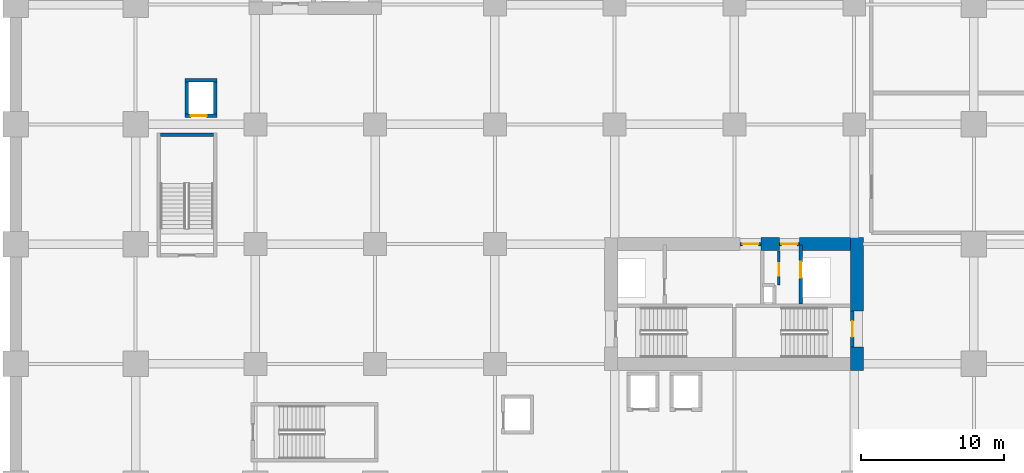
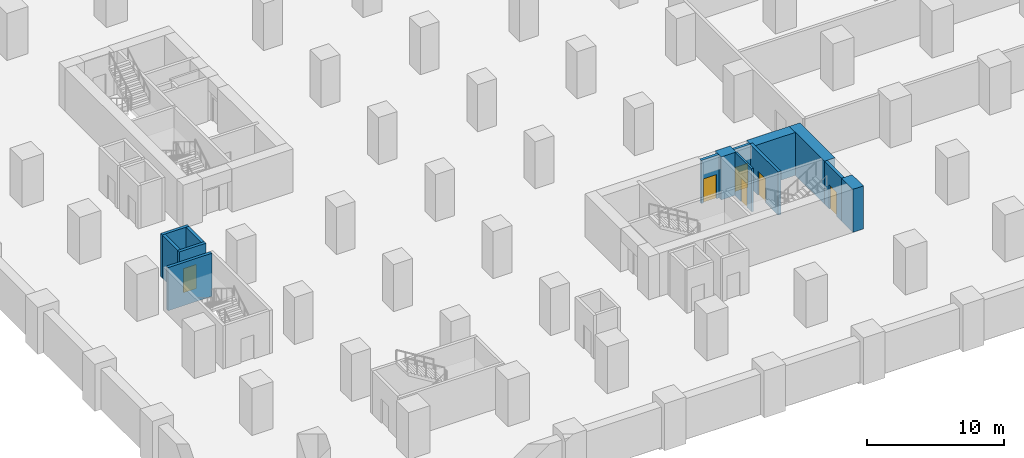
# One storey, part 7 of 13: 14 walls, 6 doors, 6 openings.
"""IFC4 building model written with IfcOpenShell, lengths in metres."""

import ifcopenshell
import ifcopenshell.guid

model = None  # the IFC model being written
_history = None  # IfcOwnerHistory: only IFC2X3 demands one
_inside = {}  # id of a spatial element -> (the spatial element, [elements in it])
_under = {}  # id of a project, library or spatial element -> (it, [spatial elements below it])
_declared = {}  # id of a project -> (the project, [libraries it declares])
_typed = {}  # id of a type object -> (the type object, [elements of that type])
_made_of = {}  # id of a material, layer set ... -> (it, [elements and type objects made of it])


def new_model(schema):
    """Start an empty IFC model of exactly this schema.

    Asked for "IFC4X3", IfcOpenShell would pick the latest addendum, in which some entities
    have other attributes; the version numbers below select the first issue.
    IFC2X3 requires an IfcOwnerHistory on every rooted entity: one is made here for all.
    """
    global model, _history
    if schema == "IFC4X3":
        model = ifcopenshell.file(schema_version=(4, 3, 0, 0))
    else:
        model = ifcopenshell.file(schema=schema)
    _inside.clear()
    _under.clear()
    _declared.clear()
    _typed.clear()
    _made_of.clear()
    _history = None
    if model.schema == "IFC2X3":
        org = make("IfcOrganization", Name="unknown")
        user = make(
            "IfcPersonAndOrganization",
            ThePerson=make("IfcPerson", FamilyName="unknown"),
            TheOrganization=org,
        )
        app = make(
            "IfcApplication",
            ApplicationDeveloper=org,
            Version="unknown",
            ApplicationFullName="unknown",
            ApplicationIdentifier="unknown",
        )
        _history = make(
            "IfcOwnerHistory",
            OwningUser=user,
            OwningApplication=app,
            ChangeAction="ADDED",
            CreationDate=0,
        )
    return model


def make(cls, **values):
    """One entity of the class cls with the attributes given. An attribute that is None is left unset."""
    return model.create_entity(
        cls, **{name: value for name, value in values.items() if value is not None}
    )


def rooted(cls, **values):
    """An entity with a GlobalId (a new one), such as an element, a storey or a relation."""
    return make(cls, GlobalId=ifcopenshell.guid.new(), OwnerHistory=_history, **values)


def si_unit(unit_type, name, prefix=None):
    """IfcSIUnit, for example si_unit("LENGTHUNIT", "METRE", prefix="MILLI")."""
    return make("IfcSIUnit", UnitType=unit_type, Prefix=prefix, Name=name)


def assignment(units):
    """IfcUnitAssignment: the units of a project."""
    return None if units is None else make("IfcUnitAssignment", Units=units)


def point(xyz):
    """IfcCartesianPoint."""
    return None if xyz is None else make("IfcCartesianPoint", Coordinates=xyz)


def direction(xyz):
    """IfcDirection."""
    return None if xyz is None else make("IfcDirection", DirectionRatios=xyz)


def frame(location, z_axis=None, x_axis=None):
    """IfcAxis2Placement3D, a coordinate frame: its origin and axes. An axis left out is left unset."""
    return make(
        "IfcAxis2Placement3D",
        Location=point(location),
        Axis=direction(z_axis),
        RefDirection=direction(x_axis),
    )


def frame_2d(location, x_axis=None):
    """IfcAxis2Placement2D, a coordinate frame in the plane: its origin and x axis."""
    return make(
        "IfcAxis2Placement2D", Location=point(location), RefDirection=direction(x_axis)
    )


def origin():
    """The frame at (0, 0, 0) with its axes left unset."""
    return frame((0.0, 0.0, 0.0))


def place(relative_to, where):
    """IfcLocalPlacement: puts the frame where relative to a parent placement (None: the world)."""
    return make(
        "IfcLocalPlacement", PlacementRelTo=relative_to, RelativePlacement=where
    )


def context(
    kind, dimensions, precision=None, world=None, true_north=None, identifier=None
):
    """IfcGeometricRepresentationContext, for example the 3D "Model" context."""
    return make(
        "IfcGeometricRepresentationContext",
        ContextIdentifier=identifier,
        ContextType=kind,
        CoordinateSpaceDimension=dimensions,
        Precision=precision,
        WorldCoordinateSystem=world,
        TrueNorth=true_north,
    )


def subcontext(parent, identifier, kind, view, scale=None):
    """IfcGeometricRepresentationSubContext, for example "Body" below "Model"."""
    return make(
        "IfcGeometricRepresentationSubContext",
        ContextIdentifier=identifier,
        ContextType=kind,
        ParentContext=parent,
        TargetScale=scale,
        TargetView=view,
    )


def project(units=None, contexts=None):
    """IfcProject with its units and contexts."""
    return rooted(
        "IfcProject",
        Name="project",
        RepresentationContexts=contexts,
        UnitsInContext=assignment(units),
    )


def spatial(cls, under=None, at=None, **own):
    """A site, building, storey or space (cls), placed at a placement, below another one or the project."""
    s = rooted(cls, ObjectPlacement=at, **own)
    if under is not None:
        _under.setdefault(under.id(), (under, []))[1].append(s)
    return s


def profile(cls, at=None, kind="AREA", **sizes):
    """A parametric profile (cls). Its sizes go by their IFC names, for example OverallWidth=200.0."""
    return make(cls, ProfileType=kind, Position=at, **sizes)


def rectangle(**sizes):
    """IfcRectangleProfileDef."""
    return profile("IfcRectangleProfileDef", **sizes)


def extrude(swept, where, along, depth):
    """IfcExtrudedAreaSolid: the profile swept, set in the frame where, extruded along a direction by depth."""
    return make(
        "IfcExtrudedAreaSolid",
        SweptArea=swept,
        Position=where,
        ExtrudedDirection=direction(along),
        Depth=depth,
    )


def shape(context_of_items, identifier, shape_type, items):
    """IfcShapeRepresentation: the items that make up one representation, for example the "Body"."""
    return make(
        "IfcShapeRepresentation",
        ContextOfItems=context_of_items,
        RepresentationIdentifier=identifier,
        RepresentationType=shape_type,
        Items=items,
    )


def material(Name=None, Category=None):
    """IfcMaterial."""
    return make("IfcMaterial", Name=Name, Category=Category)


def layer(
    of_material, thickness, ventilated=None, Name=None, Category=None, Priority=None
):
    """IfcMaterialLayer: one layer of a wall or slab, of a material (None: an air gap)."""
    return make(
        "IfcMaterialLayer",
        Material=of_material,
        LayerThickness=thickness,
        IsVentilated=ventilated,
        Name=Name,
        Category=Category,
        Priority=Priority,
    )


def layer_set(layers, Name=None):
    """IfcMaterialLayerSet."""
    return make("IfcMaterialLayerSet", MaterialLayers=layers, LayerSetName=Name)


def made_of(thing, what):
    """Note that an element or type object is made of a material, layer set ...; save() writes the relation."""
    if what is not None:
        _made_of.setdefault(what.id(), (what, []))[1].append(thing)
    return thing


def type_object(cls, material=None, **own):
    """A type object (cls), such as IfcWallType, which elements share."""
    return made_of(rooted(cls, **own), material)


def element(
    cls,
    number,
    at=None,
    inside=None,
    cuts=None,
    type_object=None,
    material=None,
    context=None,
    identifier="Body",
    shape_type=None,
    held_by="IfcProductDefinitionShape",
    body=None,
    shapes=None,
    **own,
):
    """One element of the class cls, such as IfcWall. Its Tag is "e" and its number.

    at: its placement. inside: the storey or other place that contains it. cuts: it is an
    opening in that element (IfcRelVoidsElement). A single representation is given by context,
    identifier, shape_type and body (its items); several are given by shapes. held_by: the class
    of the entity that holds the representations. save() writes the other relations.
    """
    e = rooted(cls, Tag="e%d" % number, ObjectPlacement=at, **own)
    if body is not None:
        shapes = [shape(context, identifier, shape_type, body)]
    if shapes is not None:
        e.Representation = make(held_by, Representations=shapes)
    if inside is not None:
        _inside.setdefault(inside.id(), (inside, []))[1].append(e)
    if cuts is not None:
        rooted(
            "IfcRelVoidsElement", RelatingBuildingElement=cuts, RelatedOpeningElement=e
        )
    if type_object is not None:
        _typed.setdefault(type_object.id(), (type_object, []))[1].append(e)
    return made_of(e, material)


def fill(opening, filler):
    """IfcRelFillsElement: the door or window that sits in an opening."""
    return rooted(
        "IfcRelFillsElement",
        RelatingOpeningElement=opening,
        RelatedBuildingElement=filler,
    )


def aggregate(whole, parts):
    """IfcRelAggregates: a whole, such as a stair, and the parts it consists of."""
    return rooted("IfcRelAggregates", RelatingObject=whole, RelatedObjects=parts)


def save(model, path):
    """Write the relations noted so far, then the file.

    IfcRelAggregates (storeys below a building ...), IfcRelContainedInSpatialStructure (elements
    in a storey), IfcRelDefinesByType, IfcRelAssociatesMaterial and IfcRelDeclares: one each for
    every whole, place, type object, material and project.
    """
    for whole, parts in _under.values():
        aggregate(whole, parts)
    for where, things in _inside.values():
        rooted(
            "IfcRelContainedInSpatialStructure",
            RelatedElements=things,
            RelatingStructure=where,
        )
    for kind, things in _typed.values():
        rooted("IfcRelDefinesByType", RelatedObjects=things, RelatingType=kind)
    for what, things in _made_of.values():
        rooted("IfcRelAssociatesMaterial", RelatedObjects=things, RelatingMaterial=what)
    for by, libraries in _declared.values():
        rooted("IfcRelDeclares", RelatingContext=by, RelatedDefinitions=libraries)
    model.write(path)


model = new_model("IFC4")

# Units and contexts
model_context = context("Model", 3, precision=1e-05, world=origin(), true_north=direction((0.0, 1.0)))
body_context = subcontext(model_context, "Body", "Model", "MODEL_VIEW")
ifc_project = project(units=[si_unit("LENGTHUNIT", "METRE"), si_unit("AREAUNIT", "SQUARE_METRE"), si_unit("VOLUMEUNIT", "CUBIC_METRE"), si_unit("PLANEANGLEUNIT", "RADIAN"), si_unit("MASSUNIT", "GRAM", prefix="KILO")], contexts=[model_context])

# Site, building, storey
site_placement = place(None, origin())
site = spatial("IfcSite", under=ifc_project, at=site_placement, CompositionType="ELEMENT")
building_placement = place(site_placement, origin())
building = spatial("IfcBuilding", under=site, at=building_placement, Name="Koriwani Terraces Tower", CompositionType="ELEMENT")
storey_placement = place(building_placement, frame((0.0, 0.0, -4.199951171875)))
storey = spatial("IfcBuildingStorey", under=building, at=storey_placement, Name="B01", CompositionType="ELEMENT", Elevation=-4.199951171875)

# Walls
ifc_material_1 = material(Name="Concrete C60/75", Category="concrete")
ifc_layer_1 = layer(ifc_material_1, 0.89990234375, Name="Concrete C60/75")
ifc_layer_set_1 = layer_set([ifc_layer_1], Name="Concrete C60/75")
wall_type_1 = type_object("IfcWallType", Name="WALL_CORE_RC_900", PredefinedType="SHEAR", material=ifc_layer_set_1)
wall_1_placement = place(storey_placement, frame((59.0, 16.35009765625, 0.0), z_axis=(0.0, 0.0, 1.0), x_axis=(0.0, 1.0, 0.0)))
element("IfcWall", 1, at=wall_1_placement, inside=storey, type_object=wall_type_1, Name="B01 East Split Core Shear Wall E1", PredefinedType="SHEAR", context=body_context, shape_type="SweptSolid", body=[
    extrude(rectangle(XDim=1.64990234375, YDim=0.89990234375, at=frame_2d((0.824951171875, 0.0))), origin(), (0.0, 0.0, 1.0), 3.849853515625),
])
wall_2_placement = place(storey_placement, frame((59.0, 20.5, 0.0), z_axis=(0.0, 0.0, 1.0), x_axis=(0.0, 1.0, 0.0)))
element("IfcWall", 2, at=wall_2_placement, inside=storey, type_object=wall_type_1, Name="B01 East Split Core Shear Wall E2", PredefinedType="SHEAR", context=body_context, shape_type="SweptSolid", body=[
    extrude(rectangle(XDim=5.14990234375, YDim=0.89990234375, at=frame_2d((2.574951171875, 0.0))), origin(), (0.0, 0.0, 1.0), 3.849853515625),
])
wall_3_placement = place(storey_placement, frame((52.280029296875, 25.199951171875, 0.0), z_axis=(0.0, 0.0, 1.0), x_axis=(1.0, 0.0, 0.0)))
element("IfcWall", 3, at=wall_3_placement, inside=storey, type_object=wall_type_1, Name="B01 East Split Core Shear Wall N2", PredefinedType="SHEAR", context=body_context, shape_type="SweptSolid", body=[
    extrude(rectangle(XDim=1.27001953125, YDim=0.89990234375, at=frame_2d((0.635009765625, 0.0))), origin(), (0.0, 0.0, 1.0), 3.849853515625),
])
wall_4_placement = place(storey_placement, frame((54.949951171875, 25.199951171875, 0.0), z_axis=(0.0, 0.0, 1.0), x_axis=(1.0, 0.0, 0.0)))
element("IfcWall", 4, at=wall_4_placement, inside=storey, type_object=wall_type_1, Name="B01 East Split Core Shear Wall N3", PredefinedType="SHEAR", context=body_context, shape_type="SweptSolid", body=[
    extrude(rectangle(XDim=3.60009765625, YDim=0.89990234375, at=frame_2d((1.800048828125, 0.0))), origin(), (0.0, 0.0, 1.0), 3.849853515625),
])
ifc_material_2 = material(Name="Concrete C40/50", Category="concrete")
ifc_layer_2 = layer(ifc_material_2, 0.25, Name="Concrete C40/50")
ifc_layer_set_2 = layer_set([ifc_layer_2], Name="Concrete C40/50")
wall_type_2 = type_object("IfcWallType", Name="WALL_SHAFT_RATED_250", PredefinedType="SOLIDWALL", material=ifc_layer_set_2)
wall_5_placement = place(storey_placement, frame((10.14990234375, 32.875, 0.0), z_axis=(0.0, 0.0, 1.0), x_axis=(1.0, 0.0, 0.0)))
element("IfcWall", 5, at=wall_5_placement, inside=storey, type_object=wall_type_2, Name="B01 Podium Stair ST-P1 North Bearing Wall", PredefinedType="SOLIDWALL", context=body_context, shape_type="SweptSolid", body=[
    extrude(rectangle(XDim=3.7001953125, YDim=0.25, at=frame_2d((1.85009765625, 0.0))), origin(), (0.0, 0.0, 1.0), 3.849853515625),
])

# Wall, opening, door
wall_6_placement = place(storey_placement, frame((58.675048828125, 18.0, 0.0), z_axis=(0.0, 0.0, 1.0), x_axis=(0.0, 1.0, 0.0)))
wall_6 = element("IfcWall", 6, at=wall_6_placement, inside=storey, type_object=wall_type_2, Name="B01 Interior Wall WIN-CE-B01-STE", PredefinedType="SOLIDWALL", context=body_context, shape_type="SweptSolid", body=[
    extrude(rectangle(XDim=2.5, YDim=0.25, at=frame_2d((1.25, 0.0))), origin(), (0.0, 0.0, 1.0), 3.849853515625),
])
opening_1_placement = place(wall_6_placement, frame((0.699951171875, 0.0, 0.0)))
opening_1 = element("IfcOpeningElement", 7, at=opening_1_placement, cuts=wall_6, Name="Opening D-03", PredefinedType="OPENING", context=body_context, shape_type="SweptSolid", body=[
    extrude(rectangle(XDim=1.10009765625, YDim=2.14990234375, at=frame_2d((0.550048828125, 1.074951171875))), frame((0.0, 0.135009765625, 0.0), z_axis=(0.0, -1.0, 0.0), x_axis=(1.0, 0.0, 0.0)), (0.0, 0.0, 1.0), 0.27001953125),
])
ifc_material_3 = material(Name="Steel ASTM A572 Grade 50", Category="steel")
door_type_1 = type_object("IfcDoorType", Name="DOOR_STAIR_FIRE_1100X2150", OperationType="NOTDEFINED", PredefinedType="DOOR", material=ifc_material_3)
door_1_placement = place(opening_1_placement, origin())
door_1 = element("IfcDoor", 8, at=door_1_placement, inside=storey, type_object=door_type_1, Name="B01 Exit Stair ST-E2 Door", OperationType="SINGLE_SWING_LEFT", OverallHeight=2.14990234375, OverallWidth=1.10009765625, PredefinedType="DOOR", context=body_context, shape_type="SweptSolid", body=[
    extrude(rectangle(XDim=1.10009765625, YDim=2.14990234375, at=frame_2d((0.550048828125, 1.074951171875))), frame((0.0, 0.02490234375, 0.0), z_axis=(0.0, -1.0, 0.0), x_axis=(1.0, 0.0, 0.0)), (0.0, 0.0, 1.0), 0.050048828125),
])
fill(opening_1, door_1)

wall_7_placement = place(storey_placement, frame((50.800048828125, 25.199951171875, 0.0), z_axis=(0.0, 0.0, 1.0), x_axis=(1.0, 0.0, 0.0)))
wall_7 = element("IfcWall", 9, at=wall_7_placement, inside=storey, type_object=wall_type_2, Name="B01 Interior Wall WIN-CE-B01-NP", PredefinedType="SOLIDWALL", context=body_context, shape_type="SweptSolid", body=[
    extrude(rectangle(XDim=1.47998046875, YDim=0.25, at=frame_2d((0.739990234375, 0.0))), origin(), (0.0, 0.0, 1.0), 3.849853515625),
])
opening_2_placement = place(wall_7_placement, frame((0.179931640625, 0.0, 0.0)))
opening_2 = element("IfcOpeningElement", 10, at=opening_2_placement, cuts=wall_7, Name="Opening D-03", PredefinedType="OPENING", context=body_context, shape_type="SweptSolid", body=[
    extrude(rectangle(XDim=1.10009765625, YDim=2.14990234375, at=frame_2d((0.550048828125, 1.074951171875))), frame((0.0, 0.135009765625, 0.0), z_axis=(0.0, -1.0, 0.0), x_axis=(1.0, 0.0, 0.0)), (0.0, 0.0, 1.0), 0.27001953125),
])
door_2_placement = place(opening_2_placement, origin())
door_2 = element("IfcDoor", 11, at=door_2_placement, inside=storey, type_object=door_type_1, Name="B01 East Firefighting Lobby Door", OperationType="SINGLE_SWING_RIGHT", OverallHeight=2.14990234375, OverallWidth=1.10009765625, PredefinedType="DOOR", context=body_context, shape_type="SweptSolid", body=[
    extrude(rectangle(XDim=1.10009765625, YDim=2.14990234375, at=frame_2d((0.550048828125, 1.074951171875))), frame((0.0, 0.02490234375, 0.0), z_axis=(0.0, -1.0, 0.0), x_axis=(1.0, 0.0, 0.0)), (0.0, 0.0, 1.0), 0.050048828125),
])
fill(opening_2, door_2)

wall_8_placement = place(storey_placement, frame((55.050048828125, 21.0, 0.0), z_axis=(0.0, 0.0, 1.0), x_axis=(0.0, 1.0, 0.0)))
wall_8 = element("IfcWall", 12, at=wall_8_placement, inside=storey, type_object=wall_type_2, Name="B01 Interior Wall WIN-CE-B01-SE", PredefinedType="SOLIDWALL", context=body_context, shape_type="SweptSolid", body=[
    extrude(rectangle(XDim=4.14990234375, YDim=0.25, at=frame_2d((2.074951171875, 0.0))), origin(), (0.0, 0.0, 1.0), 3.849853515625),
])
opening_3_placement = place(wall_8_placement, frame((1.85009765625, 0.0, 0.0)))
opening_3 = element("IfcOpeningElement", 13, at=opening_3_placement, cuts=wall_8, Name="Opening LD-01", PredefinedType="OPENING", context=body_context, shape_type="SweptSolid", body=[
    extrude(rectangle(XDim=1.10009765625, YDim=2.14990234375, at=frame_2d((0.550048828125, 1.074951171875))), frame((0.0, 0.135009765625, 0.0), z_axis=(0.0, -1.0, 0.0), x_axis=(1.0, 0.0, 0.0)), (0.0, 0.0, 1.0), 0.27001953125),
])
door_type_2 = type_object("IfcDoorType", Name="DOOR_LIFT_LANDING_1100X2200", OperationType="NOTDEFINED", PredefinedType="DOOR", material=ifc_material_3)
door_3_placement = place(opening_3_placement, origin())
door_3 = element("IfcDoor", 14, at=door_3_placement, inside=storey, type_object=door_type_2, Name="B01 Goods Lift SE-02 Landing Door", OperationType="SLIDING_TO_LEFT", OverallHeight=2.14990234375, OverallWidth=1.10009765625, PredefinedType="DOOR", context=body_context, shape_type="SweptSolid", body=[
    extrude(rectangle(XDim=1.10009765625, YDim=2.14990234375, at=frame_2d((0.550048828125, 1.074951171875))), frame((0.0, 0.02490234375, 0.0), z_axis=(0.0, -1.0, 0.0), x_axis=(1.0, 0.0, 0.0)), (0.0, 0.0, 1.0), 0.050048828125),
])
fill(opening_3, door_3)

wall_9_placement = place(storey_placement, frame((53.550048828125, 25.199951171875, 0.0), z_axis=(0.0, 0.0, 1.0), x_axis=(1.0, 0.0, 0.0)))
wall_9 = element("IfcWall", 15, at=wall_9_placement, inside=storey, type_object=wall_type_2, Name="B01 Interior Wall WIN-CE-B01-NP2", PredefinedType="SOLIDWALL", context=body_context, shape_type="SweptSolid", body=[
    extrude(rectangle(XDim=1.39990234375, YDim=0.25, at=frame_2d((0.699951171875, 0.0))), origin(), (0.0, 0.0, 1.0), 3.849853515625),
])
opening_4_placement = place(wall_9_placement, frame((0.14990234375, 0.0, 0.0)))
opening_4 = element("IfcOpeningElement", 16, at=opening_4_placement, cuts=wall_9, Name="Opening D-03", PredefinedType="OPENING", context=body_context, shape_type="SweptSolid", body=[
    extrude(rectangle(XDim=1.10009765625, YDim=2.14990234375, at=frame_2d((0.550048828125, 1.074951171875))), frame((0.0, 0.135009765625, 0.0), z_axis=(0.0, -1.0, 0.0), x_axis=(1.0, 0.0, 0.0)), (0.0, 0.0, 1.0), 0.27001953125),
])
door_4_placement = place(opening_4_placement, origin())
door_4 = element("IfcDoor", 17, at=door_4_placement, inside=storey, type_object=door_type_1, Name="B01 East Goods Lift Lobby Door", OperationType="SINGLE_SWING_LEFT", OverallHeight=2.14990234375, OverallWidth=1.10009765625, PredefinedType="DOOR", context=body_context, shape_type="SweptSolid", body=[
    extrude(rectangle(XDim=1.10009765625, YDim=2.14990234375, at=frame_2d((0.550048828125, 1.074951171875))), frame((0.0, 0.02490234375, 0.0), z_axis=(0.0, -1.0, 0.0), x_axis=(1.0, 0.0, 0.0)), (0.0, 0.0, 1.0), 0.050048828125),
])
fill(opening_4, door_4)

wall_10_placement = place(storey_placement, frame((11.875, 34.199951171875, 0.0), z_axis=(0.0, 0.0, 1.0), x_axis=(1.0, 0.0, 0.0)))
wall_10 = element("IfcWall", 18, at=wall_10_placement, inside=storey, type_object=wall_type_2, Name="B01 Interior Wall WIN-LF-PE-P1-B01-F", PredefinedType="SOLIDWALL", context=body_context, shape_type="SweptSolid", body=[
    extrude(rectangle(XDim=2.25, YDim=0.25, at=frame_2d((1.125, 0.0))), origin(), (0.0, 0.0, 1.0), 3.849853515625),
])
opening_5_placement = place(wall_10_placement, frame((0.39990234375, 0.0, 0.0)))
opening_5 = element("IfcOpeningElement", 19, at=opening_5_placement, cuts=wall_10, Name="Opening LD-01", PredefinedType="OPENING", context=body_context, shape_type="SweptSolid", body=[
    extrude(rectangle(XDim=1.10009765625, YDim=2.14990234375, at=frame_2d((0.550048828125, 1.074951171875))), frame((0.0, 0.135009765625, 0.0), z_axis=(0.0, -1.0, 0.0), x_axis=(1.0, 0.0, 0.0)), (0.0, 0.0, 1.0), 0.27001953125),
])
door_5_placement = place(opening_5_placement, origin())
door_5 = element("IfcDoor", 20, at=door_5_placement, inside=storey, type_object=door_type_2, Name="B01 Passenger Lift PE-P1 Landing Door", OperationType="SLIDING_TO_LEFT", OverallHeight=2.14990234375, OverallWidth=1.10009765625, PredefinedType="DOOR", context=body_context, shape_type="SweptSolid", body=[
    extrude(rectangle(XDim=1.10009765625, YDim=2.14990234375, at=frame_2d((0.550048828125, 1.074951171875))), frame((0.0, 0.02490234375, 0.0), z_axis=(0.0, -1.0, 0.0), x_axis=(1.0, 0.0, 0.0)), (0.0, 0.0, 1.0), 0.050048828125),
])
fill(opening_5, door_5)

# Walls
for number, where, z_axis, x_axis, name in (
    (21, (11.875, 36.699951171875, 0.0), (0.0, 0.0, 1.0), (1.0, 0.0, 0.0), "B01 Interior Wall WIN-LF-PE-P1-B01-B"),
    (22, (12.0, 34.324951171875, 0.0), (0.0, 0.0, 1.0), (0.0, 1.0, 0.0), "B01 Interior Wall WIN-LF-PE-P1-B01-W"),
    (23, (14.0, 34.324951171875, 0.0), (0.0, 0.0, 1.0), (0.0, 1.0, 0.0), "B01 Interior Wall WIN-LF-PE-P1-B01-E"),
):
    element("IfcWall", number, at=place(storey_placement, frame(where, z_axis=z_axis, x_axis=x_axis)), inside=storey, type_object=wall_type_2, Name=name, PredefinedType="SOLIDWALL", context=body_context, shape_type="SweptSolid", body=[
        extrude(rectangle(XDim=2.25, YDim=0.25, at=frame_2d((1.125, 0.0))), origin(), (0.0, 0.0, 1.0), 3.849853515625),
    ])

# Wall, opening, door
ifc_material_4 = material(Name="Fire-Rated Acoustic Gypsum Partition", Category="masonry")
ifc_layer_3 = layer(ifc_material_4, 0.159912109375, Name="Fire-Rated Acoustic Gypsum Partition")
ifc_layer_set_3 = layer_set([ifc_layer_3], Name="Fire-Rated Acoustic Gypsum Partition")
wall_type_3 = type_object("IfcWallType", Name="WALL_SUITE_160", PredefinedType="PARTITIONING", material=ifc_layer_set_3)
wall_11_placement = place(storey_placement, frame((53.52001953125, 22.320068359375, 0.0), z_axis=(0.0, 0.0, 1.0), x_axis=(0.0, 1.0, 0.0)))
wall_11 = element("IfcWall", 24, at=wall_11_placement, inside=storey, type_object=wall_type_3, Name="B01 Interior Wall WIN-CE-B01-SV0", PredefinedType="PARTITIONING", context=body_context, shape_type="SweptSolid", body=[
    extrude(rectangle(XDim=2.39990234375, YDim=0.159912109375, at=frame_2d((1.199951171875, 0.0))), origin(), (0.0, 0.0, 1.0), 3.849853515625),
])
opening_6_placement = place(wall_11_placement, frame((0.64990234375, 0.0, 0.0)))
opening_6 = element("IfcOpeningElement", 25, at=opening_6_placement, cuts=wall_11, Name="Opening D-07", PredefinedType="OPENING", context=body_context, shape_type="SweptSolid", body=[
    extrude(rectangle(XDim=0.89990234375, YDim=2.10009765625, at=frame_2d((0.449951171875, 1.050048828125))), frame((0.0, 0.08984375, 0.0), z_axis=(0.0, -1.0, 0.0), x_axis=(1.0, 0.0, 0.0)), (0.0, 0.0, 1.0), 0.179931640625),
])
ifc_material_5 = material(Name="Architectural Oak Fire Door", Category="wood")
door_type_3 = type_object("IfcDoorType", Name="DOOR_BATH_INT_900X2100", OperationType="NOTDEFINED", PredefinedType="DOOR", material=ifc_material_5)
door_6_placement = place(opening_6_placement, origin())
door_6 = element("IfcDoor", 26, at=door_6_placement, inside=storey, type_object=door_type_3, Name="B01 East Electrical Switch Room Door", OperationType="SINGLE_SWING_RIGHT", OverallHeight=2.10009765625, OverallWidth=0.89990234375, PredefinedType="DOOR", context=body_context, shape_type="SweptSolid", body=[
    extrude(rectangle(XDim=0.89990234375, YDim=2.10009765625, at=frame_2d((0.449951171875, 1.050048828125))), frame((0.0, 0.02490234375, 0.0), z_axis=(0.0, -1.0, 0.0), x_axis=(1.0, 0.0, 0.0)), (0.0, 0.0, 1.0), 0.050048828125),
])
fill(opening_6, door_6)

save(model, "model.ifc")
